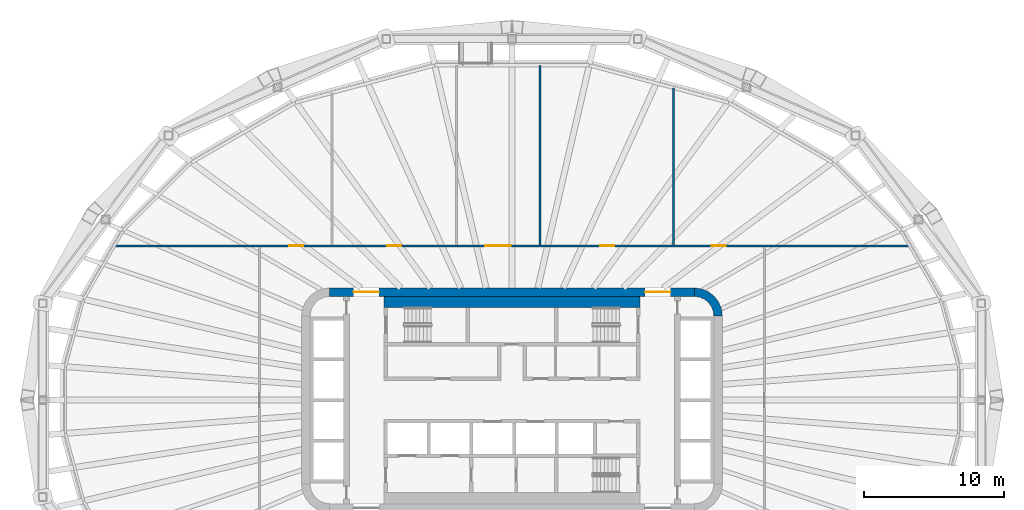
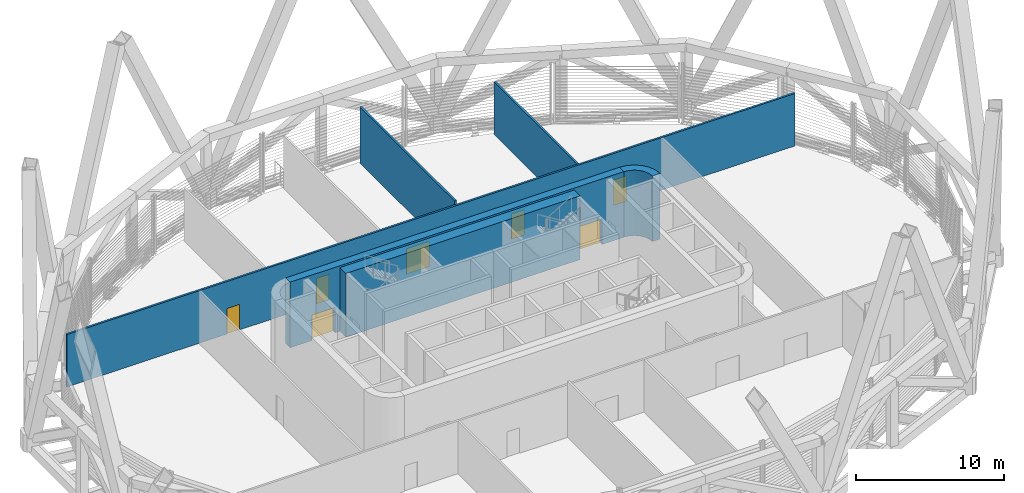
# One storey, part 8 of 18: 7 doors, 6 walls, 7 openings.
"""IFC4 building model written with IfcOpenShell, lengths in metres."""

from ifc_helpers import new_model, si_unit, direction, frame, frame_2d, origin, place, context, subcontext, project, spatial, polyline, rectangle, outline, extrude, material, layer, layer_set, type_object, element, fill, save


model = new_model("IFC4")

# Units and contexts
model_context = context("Model", 3, precision=1e-05, world=origin(), true_north=direction((0.0, 1.0)))
body_context = subcontext(model_context, "Body", "Model", "MODEL_VIEW")
ifc_project = project(units=[si_unit("LENGTHUNIT", "METRE"), si_unit("AREAUNIT", "SQUARE_METRE"), si_unit("VOLUMEUNIT", "CUBIC_METRE"), si_unit("PLANEANGLEUNIT", "RADIAN"), si_unit("MASSUNIT", "GRAM", prefix="KILO")], contexts=[model_context])

# Site, building, storey
site_placement = place(None, origin())
site = spatial("IfcSite", under=ifc_project, at=site_placement, CompositionType="ELEMENT")
building_placement = place(site_placement, origin())
building = spatial("IfcBuilding", under=site, at=building_placement, Name="Sahrelin Media Tower", CompositionType="ELEMENT")
storey_placement = place(building_placement, frame((0.0, 0.0, 96.60009765625)))
storey = spatial("IfcBuildingStorey", under=building, at=storey_placement, Name="L18", CompositionType="ELEMENT", Elevation=96.60009765625)

# Wall, openings, doors
ifc_material_1 = material(Name="Concrete C60/75", Category="concrete")
ifc_layer_1 = layer(ifc_material_1, 0.60009765625)
ifc_layer_set_1 = layer_set([ifc_layer_1], Name="Core wall 600")
wall_type_1 = type_object("IfcWallType", Name="Core wall 600", PredefinedType="SHEAR", material=ifc_layer_set_1)
wall_1_placement = place(storey_placement, frame((-13.0, 7.699951171875, 0.0), z_axis=(0.0, 0.0, 1.0), x_axis=(1.0, 0.0, 0.0)))
wall_1 = element("IfcWall", 1, at=wall_1_placement, inside=storey, type_object=wall_type_1, Name="Core wall N L18", PredefinedType="SHEAR", context=body_context, shape_type="SweptSolid", body=[
    extrude(rectangle(XDim=26.0, YDim=0.60009765625, at=frame_2d((13.0, 0.0))), origin(), (0.0, 0.0, 1.0), 5.39990234375),
])
opening_1_placement = place(wall_1_placement, frame((1.699951171875, 0.0, 0.0)))
opening_1 = element("IfcOpeningElement", 2, at=opening_1_placement, cuts=wall_1, Name="Opening L18-D17", PredefinedType="OPENING", context=body_context, shape_type="SweptSolid", body=[
    extrude(rectangle(XDim=1.800048828125, YDim=2.10009765625, at=frame_2d((0.89990234375, 1.050048828125))), frame((0.0, 0.300048828125, 0.0), z_axis=(0.0, -1.0, 0.0), x_axis=(1.0, 0.0, 0.0)), (0.0, 0.0, 1.0), 0.60009765625),
])
opening_2_placement = place(wall_1_placement, frame((22.5, 0.0, 0.0)))
opening_2 = element("IfcOpeningElement", 3, at=opening_2_placement, cuts=wall_1, Name="Opening L18-D18", PredefinedType="OPENING", context=body_context, shape_type="SweptSolid", body=[
    extrude(rectangle(XDim=1.800048828125, YDim=2.10009765625, at=frame_2d((0.89990234375, 1.050048828125))), frame((0.0, 0.300048828125, 0.0), z_axis=(0.0, -1.0, 0.0), x_axis=(1.0, 0.0, 0.0)), (0.0, 0.0, 1.0), 0.60009765625),
])
ifc_material_2 = material(Name="Steel fire door leaf", Category="steel")
door_type_1 = type_object("IfcDoorType", Name="Lobby double door 1800 x 2100 EI 60", OperationType="DOUBLE_DOOR_SINGLE_SWING", PredefinedType="DOOR", material=ifc_material_2)
door_1_placement = place(opening_1_placement, origin())
door_1 = element("IfcDoor", 4, at=door_1_placement, inside=storey, type_object=door_type_1, Name="Lobby door", OperationType="DOUBLE_DOOR_SINGLE_SWING", OverallHeight=2.10009765625, OverallWidth=1.800048828125, PredefinedType="DOOR", context=body_context, shape_type="SweptSolid", body=[
    extrude(rectangle(XDim=1.800048828125, YDim=2.10009765625, at=frame_2d((0.89990234375, 1.050048828125))), frame((0.0, 0.02490234375, 0.0), z_axis=(0.0, -1.0, 0.0), x_axis=(1.0, 0.0, 0.0)), (0.0, 0.0, 1.0), 0.050048828125),
])
fill(opening_1, door_1)
door_2_placement = place(opening_2_placement, origin())
door_2 = element("IfcDoor", 5, at=door_2_placement, inside=storey, type_object=door_type_1, Name="Lobby door", OperationType="DOUBLE_DOOR_SINGLE_SWING", OverallHeight=2.10009765625, OverallWidth=1.800048828125, PredefinedType="DOOR", context=body_context, shape_type="SweptSolid", body=[
    extrude(rectangle(XDim=1.800048828125, YDim=2.10009765625, at=frame_2d((0.89990234375, 1.050048828125))), frame((0.0, 0.02490234375, 0.0), z_axis=(0.0, -1.0, 0.0), x_axis=(1.0, 0.0, 0.0)), (0.0, 0.0, 1.0), 0.050048828125),
])
fill(opening_2, door_2)

# Wall
wall_2_placement = place(storey_placement, origin())
element("IfcWall", 6, at=wall_2_placement, inside=storey, type_object=wall_type_1, Name="Core wall corner NE L18", PredefinedType="SHEAR", context=body_context, shape_type="SweptSolid", body=[
    extrude(outline(polyline([(13.0, 8.0), (13.0, 7.394775390625), (13.361083984375, 7.347412109375), (13.697509765625, 7.2080078125), (13.986328125, 6.986328125), (14.2080078125, 6.697509765625), (14.347412109375, 6.361083984375), (14.394775390625, 6.0), (15.0, 6.0), (14.931884765625, 6.517578125), (14.732177734375, 7.0), (14.414306640625, 7.414306640625), (14.0, 7.732177734375), (13.517578125, 7.931884765625), (13.0, 8.0)])), origin(), (0.0, 0.0, 1.0), 5.39990234375),
])

# Wall, openings, doors
ifc_material_3 = material(Name="Fire-rated gypsum board partition")
ifc_layer_2 = layer(ifc_material_3, 0.14990234375)
ifc_layer_set_2 = layer_set([ifc_layer_2], Name="Fire-rated partition 150")
wall_type_2 = type_object("IfcWallType", Name="Fire-rated partition 150", PredefinedType="PARTITIONING", material=ifc_layer_set_2)
wall_3_placement = place(storey_placement, frame((-28.34619140625, 11.0, 0.0), z_axis=(0.0, 0.0, 1.0), x_axis=(1.0, 0.0, 0.0)))
wall_3 = element("IfcWall", 7, at=wall_3_placement, inside=storey, type_object=wall_type_2, Name="Wall", PredefinedType="PARTITIONING", context=body_context, shape_type="SweptSolid", body=[
    extrude(rectangle(XDim=56.6923828125, YDim=0.14990234375, at=frame_2d((28.34619140625, 0.0))), origin(), (0.0, 0.0, 1.0), 4.326904296875),
])
opening_3_placement = place(wall_3_placement, frame((12.449951171875, 0.0, 0.0)))
opening_3 = element("IfcOpeningElement", 8, at=opening_3_placement, cuts=wall_3, Name="Opening L18-D21", PredefinedType="OPENING", context=body_context, shape_type="SweptSolid", body=[
    extrude(rectangle(XDim=1.0, YDim=2.10009765625, at=frame_2d((0.5, 1.050048828125))), frame((0.0, 0.074951171875, 0.0), z_axis=(0.0, -1.0, 0.0), x_axis=(1.0, 0.0, 0.0)), (0.0, 0.0, 1.0), 0.14990234375),
])
opening_4_placement = place(wall_3_placement, frame((19.449951171875, 0.0, 0.0)))
opening_4 = element("IfcOpeningElement", 9, at=opening_4_placement, cuts=wall_3, Name="Opening L18-D22", PredefinedType="OPENING", context=body_context, shape_type="SweptSolid", body=[
    extrude(rectangle(XDim=1.0, YDim=2.10009765625, at=frame_2d((0.5, 1.050048828125))), frame((0.0, 0.074951171875, 0.0), z_axis=(0.0, -1.0, 0.0), x_axis=(1.0, 0.0, 0.0)), (0.0, 0.0, 1.0), 0.14990234375),
])
opening_5_placement = place(wall_3_placement, frame((34.64990234375, 0.0, 0.0)))
opening_5 = element("IfcOpeningElement", 10, at=opening_5_placement, cuts=wall_3, Name="Opening L18-D23", PredefinedType="OPENING", context=body_context, shape_type="SweptSolid", body=[
    extrude(rectangle(XDim=1.0, YDim=2.10009765625, at=frame_2d((0.5, 1.050048828125))), frame((0.0, 0.074951171875, 0.0), z_axis=(0.0, -1.0, 0.0), x_axis=(1.0, 0.0, 0.0)), (0.0, 0.0, 1.0), 0.14990234375),
])
opening_6_placement = place(wall_3_placement, frame((42.60009765625, 0.0, 0.0)))
opening_6 = element("IfcOpeningElement", 11, at=opening_6_placement, cuts=wall_3, Name="Opening L18-D24", PredefinedType="OPENING", context=body_context, shape_type="SweptSolid", body=[
    extrude(rectangle(XDim=1.0, YDim=2.10009765625, at=frame_2d((0.5, 1.050048828125))), frame((0.0, 0.074951171875, 0.0), z_axis=(0.0, -1.0, 0.0), x_axis=(1.0, 0.0, 0.0)), (0.0, 0.0, 1.0), 0.14990234375),
])
opening_7_placement = place(wall_3_placement, frame((26.449951171875, 0.0, 0.0)))
opening_7 = element("IfcOpeningElement", 12, at=opening_7_placement, cuts=wall_3, Name="Opening L18-D35", PredefinedType="OPENING", context=body_context, shape_type="SweptSolid", body=[
    extrude(rectangle(XDim=1.800048828125, YDim=2.10009765625, at=frame_2d((0.89990234375, 1.050048828125))), frame((0.0, 0.074951171875, 0.0), z_axis=(0.0, -1.0, 0.0), x_axis=(1.0, 0.0, 0.0)), (0.0, 0.0, 1.0), 0.14990234375),
])
door_type_2 = type_object("IfcDoorType", Name="Fire door 1000 x 2100 EI 60", OperationType="NOTDEFINED", PredefinedType="DOOR", material=ifc_material_2)
door_3_placement = place(opening_3_placement, origin())
door_3 = element("IfcDoor", 13, at=door_3_placement, inside=storey, type_object=door_type_2, Name="Fire door", OperationType="SINGLE_SWING_LEFT", OverallHeight=2.10009765625, OverallWidth=1.0, PredefinedType="DOOR", context=body_context, shape_type="SweptSolid", body=[
    extrude(rectangle(XDim=1.0, YDim=2.10009765625, at=frame_2d((0.5, 1.050048828125))), frame((0.0, 0.02490234375, 0.0), z_axis=(0.0, -1.0, 0.0), x_axis=(1.0, 0.0, 0.0)), (0.0, 0.0, 1.0), 0.050048828125),
])
fill(opening_3, door_3)
door_4_placement = place(opening_4_placement, origin())
door_4 = element("IfcDoor", 14, at=door_4_placement, inside=storey, type_object=door_type_2, Name="Fire door", OperationType="SINGLE_SWING_LEFT", OverallHeight=2.10009765625, OverallWidth=1.0, PredefinedType="DOOR", context=body_context, shape_type="SweptSolid", body=[
    extrude(rectangle(XDim=1.0, YDim=2.10009765625, at=frame_2d((0.5, 1.050048828125))), frame((0.0, 0.02490234375, 0.0), z_axis=(0.0, -1.0, 0.0), x_axis=(1.0, 0.0, 0.0)), (0.0, 0.0, 1.0), 0.050048828125),
])
fill(opening_4, door_4)
door_5_placement = place(opening_5_placement, origin())
door_5 = element("IfcDoor", 15, at=door_5_placement, inside=storey, type_object=door_type_2, Name="Fire door", OperationType="SINGLE_SWING_RIGHT", OverallHeight=2.10009765625, OverallWidth=1.0, PredefinedType="DOOR", context=body_context, shape_type="SweptSolid", body=[
    extrude(rectangle(XDim=1.0, YDim=2.10009765625, at=frame_2d((0.5, 1.050048828125))), frame((0.0, 0.02490234375, 0.0), z_axis=(0.0, -1.0, 0.0), x_axis=(1.0, 0.0, 0.0)), (0.0, 0.0, 1.0), 0.050048828125),
])
fill(opening_5, door_5)
door_6_placement = place(opening_6_placement, origin())
door_6 = element("IfcDoor", 16, at=door_6_placement, inside=storey, type_object=door_type_2, Name="Fire door", OperationType="SINGLE_SWING_RIGHT", OverallHeight=2.10009765625, OverallWidth=1.0, PredefinedType="DOOR", context=body_context, shape_type="SweptSolid", body=[
    extrude(rectangle(XDim=1.0, YDim=2.10009765625, at=frame_2d((0.5, 1.050048828125))), frame((0.0, 0.02490234375, 0.0), z_axis=(0.0, -1.0, 0.0), x_axis=(1.0, 0.0, 0.0)), (0.0, 0.0, 1.0), 0.050048828125),
])
fill(opening_6, door_6)
door_type_3 = type_object("IfcDoorType", Name="Service double door 1800 x 2100 EI 60", OperationType="DOUBLE_DOOR_SINGLE_SWING", PredefinedType="DOOR", material=ifc_material_2)
door_7_placement = place(opening_7_placement, origin())
door_7 = element("IfcDoor", 17, at=door_7_placement, inside=storey, type_object=door_type_3, Name="Service double door", OperationType="DOUBLE_DOOR_SINGLE_SWING", OverallHeight=2.10009765625, OverallWidth=1.800048828125, PredefinedType="DOOR", context=body_context, shape_type="SweptSolid", body=[
    extrude(rectangle(XDim=1.800048828125, YDim=2.10009765625, at=frame_2d((0.89990234375, 1.050048828125))), frame((0.0, 0.02490234375, 0.0), z_axis=(0.0, -1.0, 0.0), x_axis=(1.0, 0.0, 0.0)), (0.0, 0.0, 1.0), 0.050048828125),
])
fill(opening_7, door_7)

# Walls
wall_4_placement = place(storey_placement, frame((2.0, 11.074951171875, 0.0), z_axis=(0.0, 0.0, 1.0), x_axis=(0.0, 1.0, 0.0)))
element("IfcWall", 18, at=wall_4_placement, inside=storey, type_object=wall_type_2, Name="Wall", PredefinedType="PARTITIONING", context=body_context, shape_type="SweptSolid", body=[
    extrude(rectangle(XDim=12.791259765625, YDim=0.14990234375, at=frame_2d((6.3955078125, 0.0))), origin(), (0.0, 0.0, 1.0), 4.627197265625),
])
wall_5_placement = place(storey_placement, frame((11.530029296875, 11.074951171875, 0.0), z_axis=(0.0, 0.0, 1.0), x_axis=(0.0, 1.0, 0.0)))
element("IfcWall", 19, at=wall_5_placement, inside=storey, type_object=wall_type_2, Name="Wall", PredefinedType="PARTITIONING", context=body_context, shape_type="SweptSolid", body=[
    extrude(rectangle(XDim=11.1806640625, YDim=0.14990234375, at=frame_2d((5.59033203125, 0.0))), origin(), (0.0, 0.0, 1.0), 4.326904296875),
])
ifc_layer_3 = layer(ifc_material_1, 0.800048828125)
ifc_layer_set_3 = layer_set([ifc_layer_3], Name="Stair enclosure wall 800")
wall_type_3 = type_object("IfcWallType", Name="Stair enclosure wall 800", PredefinedType="SOLIDWALL", material=ifc_layer_set_3)
wall_6_placement = place(storey_placement, frame((-9.125, 7.0, 0.0), z_axis=(0.0, 0.0, 1.0), x_axis=(1.0, 0.0, 0.0)))
element("IfcWall", 20, at=wall_6_placement, inside=storey, type_object=wall_type_3, Name="Stair enclosure wall", PredefinedType="SOLIDWALL", context=body_context, shape_type="SweptSolid", body=[
    extrude(rectangle(XDim=18.25, YDim=0.800048828125, at=frame_2d((9.125, 0.0))), origin(), (0.0, 0.0, 1.0), 5.25),
])

save(model, "model.ifc")
